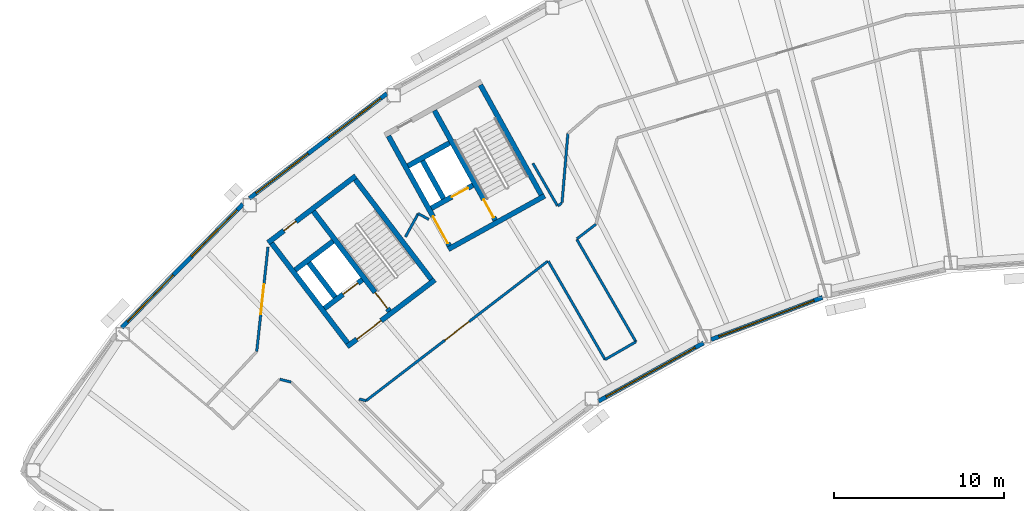
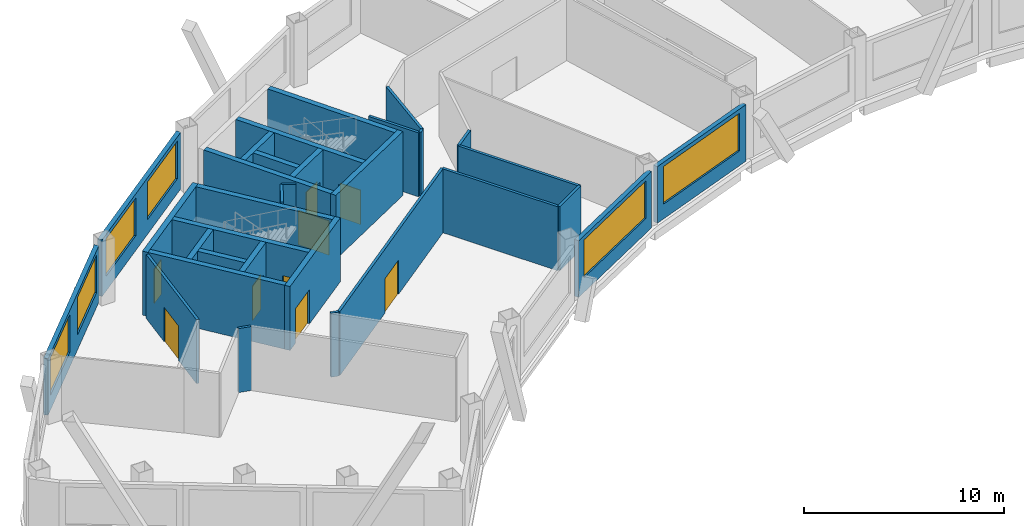
# One storey, part 5 of 13: 32 walls, 9 doors, 6 windows, 15 openings.
"""IFC4 building model written with IfcOpenShell, lengths in metres."""

from ifc_helpers import new_model, si_unit, direction, frame, frame_2d, origin, place, context, subcontext, project, spatial, rectangle, extrude, material, layer, layer_set, type_object, element, fill, save


model = new_model("IFC4")

# Units and contexts
model_context = context("Model", 3, precision=1e-05, world=origin(), true_north=direction((0.0, 1.0)))
body_context = subcontext(model_context, "Body", "Model", "MODEL_VIEW")
ifc_project = project(units=[si_unit("LENGTHUNIT", "METRE"), si_unit("AREAUNIT", "SQUARE_METRE"), si_unit("VOLUMEUNIT", "CUBIC_METRE"), si_unit("PLANEANGLEUNIT", "RADIAN"), si_unit("MASSUNIT", "GRAM", prefix="KILO")], contexts=[model_context])

# Site, building, storey
site_placement = place(None, origin())
site = spatial("IfcSite", under=ifc_project, at=site_placement, CompositionType="ELEMENT")
building_placement = place(site_placement, origin())
building = spatial("IfcBuilding", under=site, at=building_placement, Name="Tuul Gate Civic Tower", CompositionType="ELEMENT")
storey_placement = place(building_placement, frame((0.0, 0.0, 294.199951171875)))
storey = spatial("IfcBuildingStorey", under=building, at=storey_placement, Name="Level 66", CompositionType="ELEMENT", Elevation=294.199951171875)

# Wall, opening, door
ifc_material_1 = material(Name="Concrete C50/60", Category="concrete")
ifc_layer_1 = layer(ifc_material_1, 0.300048828125)
ifc_layer_set_1 = layer_set([ifc_layer_1], Name="Concrete C50/60")
wall_type_1 = type_object("IfcWallType", Name="Core wall C50/60", PredefinedType="SHEAR", material=ifc_layer_set_1)
wall_1_placement = place(storey_placement, frame((-31.19091796875, -13.669677734375, 0.0), z_axis=(0.0, 0.0, 1.0), x_axis=(-0.795606717756, -0.605813461934, 0.0)))
wall_1 = element("IfcWall", 1, at=wall_1_placement, inside=storey, type_object=wall_type_1, Name="Core wall", PredefinedType="SHEAR", context=body_context, shape_type="SweptSolid", body=[
    extrude(rectangle(XDim=6.5, YDim=0.300048828125, at=frame_2d((3.25, 0.0))), origin(), (0.0, 0.0, 1.0), 3.900146484375),
])
opening_1_placement = place(wall_1_placement, frame((3.97509765625, 0.0, 0.0)))
opening_1 = element("IfcOpeningElement", 2, at=opening_1_placement, cuts=wall_1, Name="Opening LB-W1-LOBBY-1", PredefinedType="OPENING", context=body_context, shape_type="SweptSolid", body=[
    extrude(rectangle(XDim=1.800048828125, YDim=2.10009765625, at=frame_2d((0.89990234375, 1.050048828125))), frame((0.0, 0.16015625, 0.0), z_axis=(0.0, -1.0, 0.0), x_axis=(1.0, 0.0, 0.0)), (0.0, 0.0, 1.0), 0.320068359375),
])
ifc_material_2 = material(Name="Steel", Category="steel")
door_type_1 = type_object("IfcDoorType", Name="Lobby door", OperationType="DOUBLE_DOOR_SINGLE_SWING", PredefinedType="DOOR", material=ifc_material_2)
door_1_placement = place(opening_1_placement, origin())
door_1 = element("IfcDoor", 3, at=door_1_placement, inside=storey, type_object=door_type_1, Name="Lobby door W1-LOBBY", OperationType="DOUBLE_DOOR_SINGLE_SWING", OverallHeight=2.10009765625, OverallWidth=1.800048828125, PredefinedType="DOOR", context=body_context, shape_type="SweptSolid", body=[
    extrude(rectangle(XDim=1.800048828125, YDim=2.10009765625, at=frame_2d((0.89990234375, 1.050048828125))), frame((0.0, 0.02490234375, 0.0), z_axis=(0.0, -1.0, 0.0), x_axis=(1.0, 0.0, 0.0)), (0.0, 0.0, 1.0), 0.050048828125),
])
fill(opening_1, door_1)

wall_2_placement = place(storey_placement, frame((-35.470947265625, -13.66064453125, 0.0), z_axis=(0.0, 0.0, 1.0), x_axis=(-0.795615822227, -0.605801504968, 0.0)))
wall_2 = element("IfcWall", 4, at=wall_2_placement, inside=storey, type_object=wall_type_1, Name="Core wall", PredefinedType="SHEAR", context=body_context, shape_type="SweptSolid", body=[
    extrude(rectangle(XDim=2.800048828125, YDim=0.300048828125, at=frame_2d((1.39990234375, 0.0))), origin(), (0.0, 0.0, 1.0), 3.900146484375),
])
opening_2_placement = place(wall_2_placement, frame((0.324951171875, 0.0, 0.0)))
opening_2 = element("IfcOpeningElement", 5, at=opening_2_placement, cuts=wall_2, Name="Opening LD-H1", PredefinedType="OPENING", context=body_context, shape_type="SweptSolid", body=[
    extrude(rectangle(XDim=1.10009765625, YDim=2.10009765625, at=frame_2d((0.550048828125, 1.050048828125))), frame((0.0, 0.16015625, 0.0), z_axis=(0.0, -1.0, 0.0), x_axis=(1.0, 0.0, 0.0)), (0.0, 0.0, 1.0), 0.320068359375),
])
ifc_material_3 = material(Name="Stainless steel", Category="steel")
door_type_2 = type_object("IfcDoorType", Name="Landing door", OperationType="DOUBLE_DOOR_SLIDING", PredefinedType="DOOR", material=ifc_material_3)
door_2_placement = place(opening_2_placement, origin())
door_2 = element("IfcDoor", 6, at=door_2_placement, inside=storey, type_object=door_type_2, Name="High-rise lift H1 landing door", OperationType="DOUBLE_DOOR_SLIDING", OverallHeight=2.10009765625, OverallWidth=1.10009765625, PredefinedType="DOOR", context=body_context, shape_type="SweptSolid", body=[
    extrude(rectangle(XDim=1.10009765625, YDim=2.10009765625, at=frame_2d((0.550048828125, 1.050048828125))), frame((0.0, 0.02490234375, 0.0), z_axis=(0.0, -1.0, 0.0), x_axis=(1.0, 0.0, 0.0)), (0.0, 0.0, 1.0), 0.050048828125),
])
fill(opening_2, door_2)

# Wall
wall_3_placement = place(storey_placement, frame((-37.197509765625, -11.39306640625, 0.0), z_axis=(0.0, 0.0, 1.0), x_axis=(-0.795583820278, -0.605843531707, 0.0)))
element("IfcWall", 7, at=wall_3_placement, inside=storey, type_object=wall_type_1, Name="Core wall", PredefinedType="SHEAR", context=body_context, shape_type="SweptSolid", body=[
    extrude(rectangle(XDim=2.7998046875, YDim=0.300048828125, at=frame_2d((1.39990234375, 0.0))), origin(), (0.0, 0.0, 1.0), 3.900146484375),
])

# Wall, opening, door
wall_4_placement = place(storey_placement, frame((-35.855224609375, -7.543212890625, 0.0), z_axis=(0.0, 0.0, 1.0), x_axis=(-0.79563860527, -0.605771582202, 0.0)))
wall_4 = element("IfcWall", 8, at=wall_4_placement, inside=storey, type_object=wall_type_1, Name="Core wall", PredefinedType="SHEAR", context=body_context, shape_type="SweptSolid", body=[
    extrude(rectangle(XDim=6.5, YDim=0.300048828125, at=frame_2d((3.25, 0.0))), origin(), (0.0, 0.0, 1.0), 3.900146484375),
])
opening_3_placement = place(wall_4_placement, frame((4.425048828125, 0.0, 0.0)))
opening_3 = element("IfcOpeningElement", 9, at=opening_3_placement, cuts=wall_4, Name="Opening Y-D16", PredefinedType="OPENING", context=body_context, shape_type="SweptSolid", body=[
    extrude(rectangle(XDim=0.89990234375, YDim=2.10009765625, at=frame_2d((0.449951171875, 1.050048828125))), frame((0.0, 0.16015625, 0.0), z_axis=(0.0, -1.0, 0.0), x_axis=(1.0, 0.0, 0.0)), (0.0, 0.0, 1.0), 0.320068359375),
])
ifc_material_4 = material(Name="Timber door leaf", Category="wood")
door_type_3 = type_object("IfcDoorType", Name="Door D09", OperationType="NOTDEFINED", PredefinedType="DOOR", material=ifc_material_4)
door_3_placement = place(opening_3_placement, origin())
door_3 = element("IfcDoor", 10, at=door_3_placement, inside=storey, type_object=door_type_3, Name="Door Y-D16", OperationType="SINGLE_SWING_RIGHT", OverallHeight=2.10009765625, OverallWidth=0.89990234375, PredefinedType="DOOR", context=body_context, shape_type="SweptSolid", body=[
    extrude(rectangle(XDim=0.89990234375, YDim=2.10009765625, at=frame_2d((0.449951171875, 1.050048828125))), frame((0.0, 0.02490234375, 0.0), z_axis=(0.0, -1.0, 0.0), x_axis=(1.0, 0.0, 0.0)), (0.0, 0.0, 1.0), 0.050048828125),
])
fill(opening_3, door_3)

# Wall
wall_5_placement = place(storey_placement, frame((-31.401123046875, -13.64111328125, 0.0), z_axis=(0.0, 0.0, 1.0), x_axis=(-0.605769822278, 0.795639945213, 0.0)))
element("IfcWall", 11, at=wall_5_placement, inside=storey, type_object=wall_type_1, Name="Core wall", PredefinedType="SHEAR", context=body_context, shape_type="SweptSolid", body=[
    extrude(rectangle(XDim=7.39990234375, YDim=0.300048828125, at=frame_2d((3.699951171875, 0.0))), origin(), (0.0, 0.0, 1.0), 3.900146484375),
])

# Wall, opening, door
wall_6_placement = place(storey_placement, frame((-33.867431640625, -15.51904296875, 0.0), z_axis=(0.0, 0.0, 1.0), x_axis=(-0.605769822278, 0.795639945213, 0.0)))
wall_6 = element("IfcWall", 12, at=wall_6_placement, inside=storey, type_object=wall_type_1, Name="Core wall", PredefinedType="SHEAR", context=body_context, shape_type="SweptSolid", body=[
    extrude(rectangle(XDim=7.39990234375, YDim=0.300048828125, at=frame_2d((3.699951171875, 0.0))), origin(), (0.0, 0.0, 1.0), 3.900146484375),
])
opening_4_placement = place(wall_6_placement, frame((0.199951171875, 0.0, 0.0)))
opening_4 = element("IfcOpeningElement", 13, at=opening_4_placement, cuts=wall_6, Name="Opening SD-ST-1", PredefinedType="OPENING", context=body_context, shape_type="SweptSolid", body=[
    extrude(rectangle(XDim=1.199951171875, YDim=2.10009765625, at=frame_2d((0.60009765625, 1.050048828125))), frame((0.0, 0.16015625, 0.0), z_axis=(0.0, -1.0, 0.0), x_axis=(1.0, 0.0, 0.0)), (0.0, 0.0, 1.0), 0.320068359375),
])
ifc_material_5 = material(Name="Steel", Category="steel")
door_type_4 = type_object("IfcDoorType", Name="Stair door", OperationType="NOTDEFINED", PredefinedType="DOOR", material=ifc_material_5)
door_4_placement = place(opening_4_placement, origin())
door_4 = element("IfcDoor", 14, at=door_4_placement, inside=storey, type_object=door_type_4, Name="Stair door ST-1", OperationType="SINGLE_SWING_LEFT", OverallHeight=2.10009765625, OverallWidth=1.199951171875, PredefinedType="DOOR", context=body_context, shape_type="SweptSolid", body=[
    extrude(rectangle(XDim=1.199951171875, YDim=2.10009765625, at=frame_2d((0.60009765625, 1.050048828125))), frame((0.0, 0.02490234375, 0.0), z_axis=(0.0, -1.0, 0.0), x_axis=(1.0, 0.0, 0.0)), (0.0, 0.0, 1.0), 0.050048828125),
])
fill(opening_4, door_4)

# Walls
wall_7_placement = place(storey_placement, frame((-37.073486328125, -14.6923828125, 0.0), z_axis=(0.0, 0.0, 1.0), x_axis=(-0.605728760074, 0.79567120673, 0.0)))
element("IfcWall", 15, at=wall_7_placement, inside=storey, type_object=wall_type_1, Name="Core wall", PredefinedType="SHEAR", context=body_context, shape_type="SweptSolid", body=[
    extrude(rectangle(XDim=2.550048828125, YDim=0.300048828125, at=frame_2d((1.27490234375, 0.0))), origin(), (0.0, 0.0, 1.0), 3.900146484375),
])
wall_8_placement = place(storey_placement, frame((-36.333984375, -17.397216796875, 0.0), z_axis=(0.0, 0.0, 1.0), x_axis=(-0.605753921168, 0.795652051458, 0.0)))
element("IfcWall", 16, at=wall_8_placement, inside=storey, type_object=wall_type_1, Name="Core wall", PredefinedType="SHEAR", context=body_context, shape_type="SweptSolid", body=[
    extrude(rectangle(XDim=7.400146484375, YDim=0.300048828125, at=frame_2d((3.7001953125, 0.0))), origin(), (0.0, 0.0, 1.0), 3.900146484375),
])
wall_9_placement = place(storey_placement, frame((-24.711669921875, -8.7158203125, 0.0), z_axis=(0.0, 0.0, 1.0), x_axis=(-0.874629909008, -0.484791215132, 0.0)))
element("IfcWall", 17, at=wall_9_placement, inside=storey, type_object=wall_type_1, Name="Core wall", PredefinedType="SHEAR", context=body_context, shape_type="SweptSolid", body=[
    extrude(rectangle(XDim=6.5, YDim=0.300048828125, at=frame_2d((3.25, 0.0))), origin(), (0.0, 0.0, 1.0), 3.900146484375),
])

# Wall, opening, door
wall_10_placement = place(storey_placement, frame((-28.94580078125, -8.090087890625, 0.0), z_axis=(0.0, 0.0, 1.0), x_axis=(-0.874629840737, -0.484791338301, 0.0)))
wall_10 = element("IfcWall", 18, at=wall_10_placement, inside=storey, type_object=wall_type_1, Name="Core wall", PredefinedType="SHEAR", context=body_context, shape_type="SweptSolid", body=[
    extrude(rectangle(XDim=2.800048828125, YDim=0.300048828125, at=frame_2d((1.39990234375, 0.0))), origin(), (0.0, 0.0, 1.0), 3.900146484375),
])
opening_5_placement = place(wall_10_placement, frame((0.324951171875, 0.0, 0.0)))
opening_5 = element("IfcOpeningElement", 19, at=opening_5_placement, cuts=wall_10, Name="Opening LD-FF-1", PredefinedType="OPENING", context=body_context, shape_type="SweptSolid", body=[
    extrude(rectangle(XDim=1.10009765625, YDim=2.10009765625, at=frame_2d((0.550048828125, 1.050048828125))), frame((0.0, 0.16015625, 0.0), z_axis=(0.0, -1.0, 0.0), x_axis=(1.0, 0.0, 0.0)), (0.0, 0.0, 1.0), 0.320068359375),
])
door_5_placement = place(opening_5_placement, origin())
door_5 = element("IfcDoor", 20, at=door_5_placement, inside=storey, type_object=door_type_2, Name="Fire-fighting lift FF-1 landing door", OperationType="DOUBLE_DOOR_SLIDING", OverallHeight=2.10009765625, OverallWidth=1.10009765625, PredefinedType="DOOR", context=body_context, shape_type="SweptSolid", body=[
    extrude(rectangle(XDim=1.10009765625, YDim=2.10009765625, at=frame_2d((0.550048828125, 1.050048828125))), frame((0.0, 0.02490234375, 0.0), z_axis=(0.0, -1.0, 0.0), x_axis=(1.0, 0.0, 0.0)), (0.0, 0.0, 1.0), 0.050048828125),
])
fill(opening_5, door_5)

# Walls
wall_11_placement = place(storey_placement, frame((-30.327392578125, -5.59716796875, 0.0), z_axis=(0.0, 0.0, 1.0), x_axis=(-0.874629840737, -0.484791338301, 0.0)))
element("IfcWall", 21, at=wall_11_placement, inside=storey, type_object=wall_type_1, Name="Core wall", PredefinedType="SHEAR", context=body_context, shape_type="SweptSolid", body=[
    extrude(rectangle(XDim=2.800048828125, YDim=0.300048828125, at=frame_2d((1.39990234375, 0.0))), origin(), (0.0, 0.0, 1.0), 3.900146484375),
])
wall_12_placement = place(storey_placement, frame((-24.91552734375, -8.6572265625, 0.0), z_axis=(0.0, 0.0, 1.0), x_axis=(-0.484777133038, 0.874637714304, 0.0)))
element("IfcWall", 22, at=wall_12_placement, inside=storey, type_object=wall_type_1, Name="Core wall", PredefinedType="SHEAR", context=body_context, shape_type="SweptSolid", body=[
    extrude(rectangle(XDim=7.400146484375, YDim=0.300048828125, at=frame_2d((3.7001953125, 0.0))), origin(), (0.0, 0.0, 1.0), 3.900146484375),
])

# Wall, opening, door
wall_13_placement = place(storey_placement, frame((-27.626953125, -10.16015625, 0.0), z_axis=(0.0, 0.0, 1.0), x_axis=(-0.484751894226, 0.874651702704, 0.0)))
wall_13 = element("IfcWall", 23, at=wall_13_placement, inside=storey, type_object=wall_type_1, Name="Core wall", PredefinedType="SHEAR", context=body_context, shape_type="SweptSolid", body=[
    extrude(rectangle(XDim=7.39990234375, YDim=0.300048828125, at=frame_2d((3.699951171875, 0.0))), origin(), (0.0, 0.0, 1.0), 3.900146484375),
])
opening_6_placement = place(wall_13_placement, frame((0.199951171875, 0.0, 0.0)))
opening_6 = element("IfcOpeningElement", 24, at=opening_6_placement, cuts=wall_13, Name="Opening SD-ST-2", PredefinedType="OPENING", context=body_context, shape_type="SweptSolid", body=[
    extrude(rectangle(XDim=1.199951171875, YDim=2.10009765625, at=frame_2d((0.60009765625, 1.050048828125))), frame((0.0, 0.16015625, 0.0), z_axis=(0.0, -1.0, 0.0), x_axis=(1.0, 0.0, 0.0)), (0.0, 0.0, 1.0), 0.320068359375),
])
door_6_placement = place(opening_6_placement, origin())
door_6 = element("IfcDoor", 25, at=door_6_placement, inside=storey, type_object=door_type_4, Name="Stair door ST-2", OperationType="SINGLE_SWING_LEFT", OverallHeight=2.10009765625, OverallWidth=1.199951171875, PredefinedType="DOOR", context=body_context, shape_type="SweptSolid", body=[
    extrude(rectangle(XDim=1.199951171875, YDim=2.10009765625, at=frame_2d((0.60009765625, 1.050048828125))), frame((0.0, 0.02490234375, 0.0), z_axis=(0.0, -1.0, 0.0), x_axis=(1.0, 0.0, 0.0)), (0.0, 0.0, 1.0), 0.050048828125),
])
fill(opening_6, door_6)

# Wall
wall_14_placement = place(storey_placement, frame((-30.680419921875, -8.8798828125, 0.0), z_axis=(0.0, 0.0, 1.0), x_axis=(-0.484724115216, 0.874667097888, 0.0)))
element("IfcWall", 26, at=wall_14_placement, inside=storey, type_object=wall_type_1, Name="Core wall", PredefinedType="SHEAR", context=body_context, shape_type="SweptSolid", body=[
    extrude(rectangle(XDim=2.550048828125, YDim=0.300048828125, at=frame_2d((1.27490234375, 0.0))), origin(), (0.0, 0.0, 1.0), 3.900146484375),
])

# Wall, opening, door
wall_15_placement = place(storey_placement, frame((-30.33837890625, -11.6630859375, 0.0), z_axis=(0.0, 0.0, 1.0), x_axis=(-0.484751894226, 0.874651702704, 0.0)))
wall_15 = element("IfcWall", 27, at=wall_15_placement, inside=storey, type_object=wall_type_1, Name="Core wall", PredefinedType="SHEAR", context=body_context, shape_type="SweptSolid", body=[
    extrude(rectangle(XDim=7.39990234375, YDim=0.300048828125, at=frame_2d((3.699951171875, 0.0))), origin(), (0.0, 0.0, 1.0), 3.900146484375),
])
opening_7_placement = place(wall_15_placement, frame((0.175048828125, 0.0, 0.0)))
opening_7 = element("IfcOpeningElement", 28, at=opening_7_placement, cuts=wall_15, Name="Opening LB-W2-FLOBBY-1", PredefinedType="OPENING", context=body_context, shape_type="SweptSolid", body=[
    extrude(rectangle(XDim=1.800048828125, YDim=2.10009765625, at=frame_2d((0.89990234375, 1.050048828125))), frame((0.0, 0.16015625, 0.0), z_axis=(0.0, -1.0, 0.0), x_axis=(1.0, 0.0, 0.0)), (0.0, 0.0, 1.0), 0.320068359375),
])
door_7_placement = place(opening_7_placement, frame((1.800048828125, 0.0, 0.0), z_axis=(0.0, 0.0, 1.0), x_axis=(-1.0, 0.0, 0.0)))
door_7 = element("IfcDoor", 29, at=door_7_placement, inside=storey, type_object=door_type_1, Name="Lobby door W2-FLOBBY", OperationType="DOUBLE_DOOR_SINGLE_SWING", OverallHeight=2.10009765625, OverallWidth=1.800048828125, PredefinedType="DOOR", context=body_context, shape_type="SweptSolid", body=[
    extrude(rectangle(XDim=1.800048828125, YDim=2.10009765625, at=frame_2d((0.900146484375, 1.050048828125))), frame((0.0, 0.02490234375, 0.0), z_axis=(0.0, -1.0, 0.0), x_axis=(1.0, 0.0, 0.0)), (0.0, 0.0, 1.0), 0.050048828125),
])
fill(opening_7, door_7)

# Walls
ifc_material_6 = material(Name="Gypsum board partition")
ifc_layer_2 = layer(ifc_material_6, 0.14990234375)
ifc_layer_set_2 = layer_set([ifc_layer_2], Name="Gypsum board partition")
wall_type_2 = type_object("IfcWallType", Name="Corridor wall P150", PredefinedType="PARTITIONING", material=ifc_layer_set_2)
wall_16_placement = place(storey_placement, frame((-23.690185546875, -9.11669921875, 0.0), z_axis=(0.0, 0.0, 1.0), x_axis=(0.084074030476, 0.996459511169, 0.0)))
element("IfcWall", 30, at=wall_16_placement, inside=storey, type_object=wall_type_2, Name="p038", PredefinedType="PARTITIONING", context=body_context, shape_type="SweptSolid", body=[
    extrude(rectangle(XDim=4.085693359375, YDim=0.14990234375, at=frame_2d((2.04296875, 0.0))), origin(), (0.0, 0.0, 1.0), 3.900146484375),
])
wall_17_placement = place(storey_placement, frame((-23.931640625, -9.312255859375, 0.0), z_axis=(0.0, 0.0, 1.0), x_axis=(0.790865928827, 0.611989446495, 0.0)))
element("IfcWall", 31, at=wall_17_placement, inside=storey, type_object=wall_type_2, Name="p039", PredefinedType="PARTITIONING", context=body_context, shape_type="SweptSolid", body=[
    extrude(rectangle(XDim=0.294921875, YDim=0.14990234375, at=frame_2d((0.1474609375, 0.0))), origin(), (0.0, 0.0, 1.0), 3.900146484375),
])
wall_18_placement = place(storey_placement, frame((-25.409912109375, -6.79833984375, 0.0), z_axis=(0.0, 0.0, 1.0), x_axis=(0.500028961621, -0.866008682139, 0.0)))
element("IfcWall", 32, at=wall_18_placement, inside=storey, type_object=wall_type_2, Name="p040", PredefinedType="PARTITIONING", context=body_context, shape_type="SweptSolid", body=[
    extrude(rectangle(XDim=2.895751953125, YDim=0.14990234375, at=frame_2d((1.44775390625, 0.0))), origin(), (0.0, 0.0, 1.0), 3.900146484375),
])
wall_19_placement = place(storey_placement, frame((-22.822021484375, -11.280517578125, 0.0), z_axis=(0.0, 0.0, 1.0), x_axis=(0.500001179632, -0.866024722723, 0.0)))
element("IfcWall", 33, at=wall_19_placement, inside=storey, type_object=wall_type_2, Name="p041", PredefinedType="PARTITIONING", context=body_context, shape_type="SweptSolid", body=[
    extrude(rectangle(XDim=6.9755859375, YDim=0.14990234375, at=frame_2d((3.48779296875, 0.0))), origin(), (0.0, 0.0, 1.0), 3.900146484375),
])
wall_20_placement = place(storey_placement, frame((-32.17041015625, -9.76318359375, 0.0), z_axis=(0.0, 0.0, 1.0), x_axis=(0.877175212759, -0.480170434452, 0.0)))
element("IfcWall", 34, at=wall_20_placement, inside=storey, type_object=wall_type_2, Name="p042", PredefinedType="PARTITIONING", context=body_context, shape_type="SweptSolid", body=[
    extrude(rectangle(XDim=0.71337890625, YDim=0.14990234375, at=frame_2d((0.356689453125, 0.0))), origin(), (0.0, 0.0, 1.0), 3.900146484375),
])
wall_21_placement = place(storey_placement, frame((-32.92578125, -11.14208984375, 0.0), z_axis=(0.0, 0.0, 1.0), x_axis=(0.48009263129, 0.877217798144, 0.0)))
element("IfcWall", 35, at=wall_21_placement, inside=storey, type_object=wall_type_2, Name="p043", PredefinedType="PARTITIONING", context=body_context, shape_type="SweptSolid", body=[
    extrude(rectangle(XDim=1.5712890625, YDim=0.14990234375, at=frame_2d((0.78564453125, 0.0))), origin(), (0.0, 0.0, 1.0), 3.900146484375),
])

# Wall, opening, door
wall_22_placement = place(storey_placement, frame((-41.693603515625, -17.896484375, 0.0), z_axis=(0.0, 0.0, 1.0), x_axis=(0.107454503647, 0.994210002789, 0.0)))
wall_22 = element("IfcWall", 36, at=wall_22_placement, inside=storey, type_object=wall_type_2, Name="p044", PredefinedType="PARTITIONING", context=body_context, shape_type="SweptSolid", body=[
    extrude(rectangle(XDim=6.20263671875, YDim=0.14990234375, at=frame_2d((3.101318359375, 0.0))), origin(), (0.0, 0.0, 1.0), 3.900146484375),
])
opening_8_placement = place(wall_22_placement, frame((2.201416015625, 0.0, 0.0)))
opening_8 = element("IfcOpeningElement", 37, at=opening_8_placement, cuts=wall_22, Name="Opening Y-D06", PredefinedType="OPENING", context=body_context, shape_type="SweptSolid", body=[
    extrude(rectangle(XDim=1.800048828125, YDim=2.10009765625, at=frame_2d((0.89990234375, 1.050048828125))), frame((0.0, 0.0849609375, 0.0), z_axis=(0.0, -1.0, 0.0), x_axis=(1.0, 0.0, 0.0)), (0.0, 0.0, 1.0), 0.169921875),
])
ifc_material_7 = material(Name="Timber door leaf, double", Category="wood")
door_type_5 = type_object("IfcDoorType", Name="Door D18", OperationType="DOUBLE_DOOR_SINGLE_SWING", PredefinedType="DOOR", material=ifc_material_7)
door_8_placement = place(opening_8_placement, origin())
door_8 = element("IfcDoor", 38, at=door_8_placement, inside=storey, type_object=door_type_5, Name="Door Y-D06", OperationType="DOUBLE_DOOR_SINGLE_SWING", OverallHeight=2.10009765625, OverallWidth=1.800048828125, PredefinedType="DOOR", context=body_context, shape_type="SweptSolid", body=[
    extrude(rectangle(XDim=1.800048828125, YDim=2.10009765625, at=frame_2d((0.89990234375, 1.050048828125))), frame((0.0, 0.02490234375, 0.0), z_axis=(0.0, -1.0, 0.0), x_axis=(1.0, 0.0, 0.0)), (0.0, 0.0, 1.0), 0.050048828125),
])
fill(opening_8, door_8)

# Walls
wall_23_placement = place(storey_placement, frame((-40.32958984375, -19.53466796875, 0.0), z_axis=(0.0, 0.0, 1.0), x_axis=(0.970729179799, -0.240176725533, 0.0)))
element("IfcWall", 39, at=wall_23_placement, inside=storey, type_object=wall_type_2, Name="p079", PredefinedType="PARTITIONING", context=body_context, shape_type="SweptSolid", body=[
    extrude(rectangle(XDim=0.68212890625, YDim=0.14990234375, at=frame_2d((0.341064453125, 0.0))), origin(), (0.0, 0.0, 1.0), 3.900146484375),
])
wall_24_placement = place(storey_placement, frame((-35.65087890625, -20.692626953125, 0.0), z_axis=(0.0, 0.0, 1.0), x_axis=(0.970820139182, -0.23980879333, 0.0)))
element("IfcWall", 40, at=wall_24_placement, inside=storey, type_object=wall_type_2, Name="p080", PredefinedType="PARTITIONING", context=body_context, shape_type="SweptSolid", body=[
    extrude(rectangle(XDim=0.42138671875, YDim=0.14990234375, at=frame_2d((0.210693359375, 0.0))), origin(), (0.0, 0.0, 1.0), 3.900146484375),
])

# Wall, opening, door
wall_25_placement = place(storey_placement, frame((-35.2412109375, -20.792236328125, 0.0), z_axis=(0.0, 0.0, 1.0), x_axis=(0.793202297642, 0.608958221076, 0.0)))
wall_25 = element("IfcWall", 41, at=wall_25_placement, inside=storey, type_object=wall_type_2, Name="p084", PredefinedType="PARTITIONING", context=body_context, shape_type="SweptSolid", body=[
    extrude(rectangle(XDim=13.50390625, YDim=0.14990234375, at=frame_2d((6.751953125, 0.0))), origin(), (0.0, 0.0, 1.0), 3.900146484375),
])
opening_9_placement = place(wall_25_placement, frame((5.85205078125, 0.0, 0.0)))
opening_9 = element("IfcOpeningElement", 42, at=opening_9_placement, cuts=wall_25, Name="Opening Y-D13", PredefinedType="OPENING", context=body_context, shape_type="SweptSolid", body=[
    extrude(rectangle(XDim=1.800048828125, YDim=2.10009765625, at=frame_2d((0.89990234375, 1.050048828125))), frame((0.0, 0.0849609375, 0.0), z_axis=(0.0, -1.0, 0.0), x_axis=(1.0, 0.0, 0.0)), (0.0, 0.0, 1.0), 0.169921875),
])
door_9_placement = place(opening_9_placement, frame((1.800048828125, 0.0, 0.0), z_axis=(0.0, 0.0, 1.0), x_axis=(-1.0, 0.0, 0.0)))
door_9 = element("IfcDoor", 43, at=door_9_placement, inside=storey, type_object=door_type_5, Name="Door Y-D13", OperationType="DOUBLE_DOOR_SINGLE_SWING", OverallHeight=2.10009765625, OverallWidth=1.800048828125, PredefinedType="DOOR", context=body_context, shape_type="SweptSolid", body=[
    extrude(rectangle(XDim=1.800048828125, YDim=2.10009765625, at=frame_2d((0.900146484375, 1.050048828125))), frame((0.0, 0.02490234375, 0.0), z_axis=(0.0, -1.0, 0.0), x_axis=(1.0, 0.0, 0.0)), (0.0, 0.0, 1.0), 0.050048828125),
])
fill(opening_9, door_9)

# Walls
wall_26_placement = place(storey_placement, frame((-22.81689453125, -11.25390625, 0.0), z_axis=(0.0, 0.0, 1.0), x_axis=(0.793205065992, 0.608954615127, 0.0)))
element("IfcWall", 44, at=wall_26_placement, inside=storey, type_object=wall_type_2, Name="p085", PredefinedType="PARTITIONING", context=body_context, shape_type="SweptSolid", body=[
    extrude(rectangle(XDim=1.42041015625, YDim=0.14990234375, at=frame_2d((0.710205078125, 0.0))), origin(), (0.0, 0.0, 1.0), 3.900146484375),
])
wall_27_placement = place(storey_placement, frame((-24.49951171875, -12.574951171875, 0.0), z_axis=(0.0, 0.0, 1.0), x_axis=(0.499999249307, -0.866025837197, 0.0)))
element("IfcWall", 45, at=wall_27_placement, inside=storey, type_object=wall_type_2, Name="p086", PredefinedType="PARTITIONING", context=body_context, shape_type="SweptSolid", body=[
    extrude(rectangle(XDim=6.693359375, YDim=0.14990234375, at=frame_2d((3.3466796875, 0.0))), origin(), (0.0, 0.0, 1.0), 3.900146484375),
])
wall_28_placement = place(storey_placement, frame((-21.15283203125, -18.37158203125, 0.0), z_axis=(0.0, 0.0, 1.0), x_axis=(0.866009402589, 0.500027713859, 0.0)))
element("IfcWall", 46, at=wall_28_placement, inside=storey, type_object=wall_type_2, Name="p087", PredefinedType="PARTITIONING", context=body_context, shape_type="SweptSolid", body=[
    extrude(rectangle(XDim=2.10009765625, YDim=0.14990234375, at=frame_2d((1.050048828125, 0.0))), origin(), (0.0, 0.0, 1.0), 3.900146484375),
])

# Wall, openings, windows
ifc_material_8 = material(Name="Precast concrete C40/50", Category="concrete")
ifc_layer_3 = layer(ifc_material_8, 0.25)
ifc_layer_set_3 = layer_set([ifc_layer_3], Name="Precast concrete C40/50")
wall_type_3 = type_object("IfcWallType", Name="External wall", PredefinedType="STANDARD", material=ifc_layer_set_3)
wall_29_placement = place(storey_placement, frame((-34.013916015625, -2.6865234375, 0.0), z_axis=(0.0, 0.0, 1.0), x_axis=(-0.795611005019, -0.605807831488, 0.0)))
wall_29 = element("IfcWall", 47, at=wall_29_placement, inside=storey, type_object=wall_type_3, Name="External wall", PredefinedType="STANDARD", context=body_context, shape_type="SweptSolid", body=[
    extrude(rectangle(XDim=10.188720703125, YDim=0.25, at=frame_2d((5.09423828125, 0.0))), origin(), (0.0, 0.0, 1.0), 3.449951171875),
])
opening_10_placement = place(wall_29_placement, frame((0.47314453125, 0.0, 0.89990234375)))
opening_10 = element("IfcOpeningElement", 48, at=opening_10_placement, cuts=wall_29, Name="Opening W22", PredefinedType="OPENING", context=body_context, shape_type="SweptSolid", body=[
    extrude(rectangle(XDim=3.85009765625, YDim=2.300048828125, at=frame_2d((1.925048828125, 1.14990234375))), frame((0.0, 0.135009765625, 0.0), z_axis=(0.0, -1.0, 0.0), x_axis=(1.0, 0.0, 0.0)), (0.0, 0.0, 1.0), 0.27001953125),
])
opening_11_placement = place(wall_29_placement, frame((5.844482421875, 0.0, 0.89990234375)))
opening_11 = element("IfcOpeningElement", 49, at=opening_11_placement, cuts=wall_29, Name="Opening W22", PredefinedType="OPENING", context=body_context, shape_type="SweptSolid", body=[
    extrude(rectangle(XDim=3.85009765625, YDim=2.300048828125, at=frame_2d((1.925048828125, 1.14990234375))), frame((0.0, 0.135009765625, 0.0), z_axis=(0.0, -1.0, 0.0), x_axis=(1.0, 0.0, 0.0)), (0.0, 0.0, 1.0), 0.27001953125),
])
ifc_material_9 = material(Name="Glass", Category="glass")
window_type_1 = type_object("IfcWindowType", Name="Window W22 3850 x 2300", PartitioningType="SINGLE_PANEL", PredefinedType="WINDOW", material=ifc_material_9)
window_1_placement = place(opening_10_placement, origin())
window_1 = element("IfcWindow", 50, at=window_1_placement, inside=storey, type_object=window_type_1, Name="Window", OverallHeight=2.300048828125, OverallWidth=3.85009765625, PartitioningType="SINGLE_PANEL", PredefinedType="WINDOW", context=body_context, shape_type="SweptSolid", body=[
    extrude(rectangle(XDim=3.85009765625, YDim=2.300048828125, at=frame_2d((1.925048828125, 1.14990234375))), frame((0.0, 0.030029296875, 0.0), z_axis=(0.0, -1.0, 0.0), x_axis=(1.0, 0.0, 0.0)), (0.0, 0.0, 1.0), 0.06005859375),
])
fill(opening_10, window_1)
window_2_placement = place(opening_11_placement, origin())
window_2 = element("IfcWindow", 51, at=window_2_placement, inside=storey, type_object=window_type_1, Name="Window", OverallHeight=2.300048828125, OverallWidth=3.85009765625, PartitioningType="SINGLE_PANEL", PredefinedType="WINDOW", context=body_context, shape_type="SweptSolid", body=[
    extrude(rectangle(XDim=3.85009765625, YDim=2.300048828125, at=frame_2d((1.925048828125, 1.14990234375))), frame((0.0, 0.030029296875, 0.0), z_axis=(0.0, -1.0, 0.0), x_axis=(1.0, 0.0, 0.0)), (0.0, 0.0, 1.0), 0.06005859375),
])
fill(opening_11, window_2)

wall_30_placement = place(storey_placement, frame((-42.509033203125, -9.20263671875, 0.0), z_axis=(0.0, 0.0, 1.0), x_axis=(-0.700044359254, -0.714099359387, 0.0)))
wall_30 = element("IfcWall", 52, at=wall_30_placement, inside=storey, type_object=wall_type_3, Name="External wall", PredefinedType="STANDARD", context=body_context, shape_type="SweptSolid", body=[
    extrude(rectangle(XDim=10.1962890625, YDim=0.25, at=frame_2d((5.09814453125, 0.0))), origin(), (0.0, 0.0, 1.0), 3.449951171875),
])
opening_12_placement = place(wall_30_placement, frame((0.48876953125, 0.0, 0.89990234375)))
opening_12 = element("IfcOpeningElement", 53, at=opening_12_placement, cuts=wall_30, Name="Opening W22", PredefinedType="OPENING", context=body_context, shape_type="SweptSolid", body=[
    extrude(rectangle(XDim=3.85009765625, YDim=2.300048828125, at=frame_2d((1.925048828125, 1.14990234375))), frame((0.0, 0.135009765625, 0.0), z_axis=(0.0, -1.0, 0.0), x_axis=(1.0, 0.0, 0.0)), (0.0, 0.0, 1.0), 0.27001953125),
])
opening_13_placement = place(wall_30_placement, frame((5.85986328125, 0.0, 0.89990234375)))
opening_13 = element("IfcOpeningElement", 54, at=opening_13_placement, cuts=wall_30, Name="Opening W22", PredefinedType="OPENING", context=body_context, shape_type="SweptSolid", body=[
    extrude(rectangle(XDim=3.85009765625, YDim=2.300048828125, at=frame_2d((1.925048828125, 1.14990234375))), frame((0.0, 0.135009765625, 0.0), z_axis=(0.0, -1.0, 0.0), x_axis=(1.0, 0.0, 0.0)), (0.0, 0.0, 1.0), 0.27001953125),
])
window_3_placement = place(opening_12_placement, origin())
window_3 = element("IfcWindow", 55, at=window_3_placement, inside=storey, type_object=window_type_1, Name="Window", OverallHeight=2.300048828125, OverallWidth=3.85009765625, PartitioningType="SINGLE_PANEL", PredefinedType="WINDOW", context=body_context, shape_type="SweptSolid", body=[
    extrude(rectangle(XDim=3.85009765625, YDim=2.300048828125, at=frame_2d((1.925048828125, 1.14990234375))), frame((0.0, 0.030029296875, 0.0), z_axis=(0.0, -1.0, 0.0), x_axis=(1.0, 0.0, 0.0)), (0.0, 0.0, 1.0), 0.06005859375),
])
fill(opening_12, window_3)
window_4_placement = place(opening_13_placement, origin())
window_4 = element("IfcWindow", 56, at=window_4_placement, inside=storey, type_object=window_type_1, Name="Window", OverallHeight=2.300048828125, OverallWidth=3.85009765625, PartitioningType="SINGLE_PANEL", PredefinedType="WINDOW", context=body_context, shape_type="SweptSolid", body=[
    extrude(rectangle(XDim=3.85009765625, YDim=2.300048828125, at=frame_2d((1.925048828125, 1.14990234375))), frame((0.0, 0.030029296875, 0.0), z_axis=(0.0, -1.0, 0.0), x_axis=(1.0, 0.0, 0.0)), (0.0, 0.0, 1.0), 0.06005859375),
])
fill(opening_13, window_4)

# Wall, opening, window
wall_31_placement = place(storey_placement, frame((-21.5380859375, -20.82177734375, 0.0), z_axis=(0.0, 0.0, 1.0), x_axis=(0.874625686175, 0.484798833625, 0.0)))
wall_31 = element("IfcWall", 57, at=wall_31_placement, inside=storey, type_object=wall_type_3, Name="External wall", PredefinedType="STANDARD", context=body_context, shape_type="SweptSolid", body=[
    extrude(rectangle(XDim=7.074462890625, YDim=0.25, at=frame_2d((3.537109375, 0.0))), origin(), (0.0, 0.0, 1.0), 3.449951171875),
])
opening_14_placement = place(wall_31_placement, frame((0.51806640625, 0.0, 0.89990234375)))
opening_14 = element("IfcOpeningElement", 58, at=opening_14_placement, cuts=wall_31, Name="Opening W26", PredefinedType="OPENING", context=body_context, shape_type="SweptSolid", body=[
    extrude(rectangle(XDim=6.0, YDim=2.300048828125, at=frame_2d((3.0, 1.14990234375))), frame((0.0, 0.135009765625, 0.0), z_axis=(0.0, -1.0, 0.0), x_axis=(1.0, 0.0, 0.0)), (0.0, 0.0, 1.0), 0.27001953125),
])
ifc_material_10 = material(Name="Glass", Category="glass")
window_type_2 = type_object("IfcWindowType", Name="Window W26 6000 x 2300", PartitioningType="SINGLE_PANEL", PredefinedType="WINDOW", material=ifc_material_10)
window_5_placement = place(opening_14_placement, origin())
window_5 = element("IfcWindow", 59, at=window_5_placement, inside=storey, type_object=window_type_2, Name="Window", OverallHeight=2.300048828125, OverallWidth=6.0, PartitioningType="SINGLE_PANEL", PredefinedType="WINDOW", context=body_context, shape_type="SweptSolid", body=[
    extrude(rectangle(XDim=6.0, YDim=2.300048828125, at=frame_2d((3.0, 1.14990234375))), frame((0.0, 0.030029296875, 0.0), z_axis=(0.0, -1.0, 0.0), x_axis=(1.0, 0.0, 0.0)), (0.0, 0.0, 1.0), 0.06005859375),
])
fill(opening_14, window_5)

wall_32_placement = place(storey_placement, frame((-14.89794921875, -17.1875, 0.0), z_axis=(0.0, 0.0, 1.0), x_axis=(0.93536719876, 0.35367810716, 0.0)))
wall_32 = element("IfcWall", 60, at=wall_32_placement, inside=storey, type_object=wall_type_3, Name="External wall", PredefinedType="STANDARD", context=body_context, shape_type="SweptSolid", body=[
    extrude(rectangle(XDim=7.013427734375, YDim=0.25, at=frame_2d((3.5068359375, 0.0))), origin(), (0.0, 0.0, 1.0), 3.449951171875),
])
opening_15_placement = place(wall_32_placement, frame((0.490478515625, 0.0, 0.89990234375)))
opening_15 = element("IfcOpeningElement", 61, at=opening_15_placement, cuts=wall_32, Name="Opening W26", PredefinedType="OPENING", context=body_context, shape_type="SweptSolid", body=[
    extrude(rectangle(XDim=6.0, YDim=2.300048828125, at=frame_2d((3.0, 1.14990234375))), frame((0.0, 0.135009765625, 0.0), z_axis=(0.0, -1.0, 0.0), x_axis=(1.0, 0.0, 0.0)), (0.0, 0.0, 1.0), 0.27001953125),
])
window_6_placement = place(opening_15_placement, origin())
window_6 = element("IfcWindow", 62, at=window_6_placement, inside=storey, type_object=window_type_2, Name="Window", OverallHeight=2.300048828125, OverallWidth=6.0, PartitioningType="SINGLE_PANEL", PredefinedType="WINDOW", context=body_context, shape_type="SweptSolid", body=[
    extrude(rectangle(XDim=6.0, YDim=2.300048828125, at=frame_2d((3.0, 1.14990234375))), frame((0.0, 0.030029296875, 0.0), z_axis=(0.0, -1.0, 0.0), x_axis=(1.0, 0.0, 0.0)), (0.0, 0.0, 1.0), 0.06005859375),
])
fill(opening_15, window_6)

save(model, "model.ifc")
